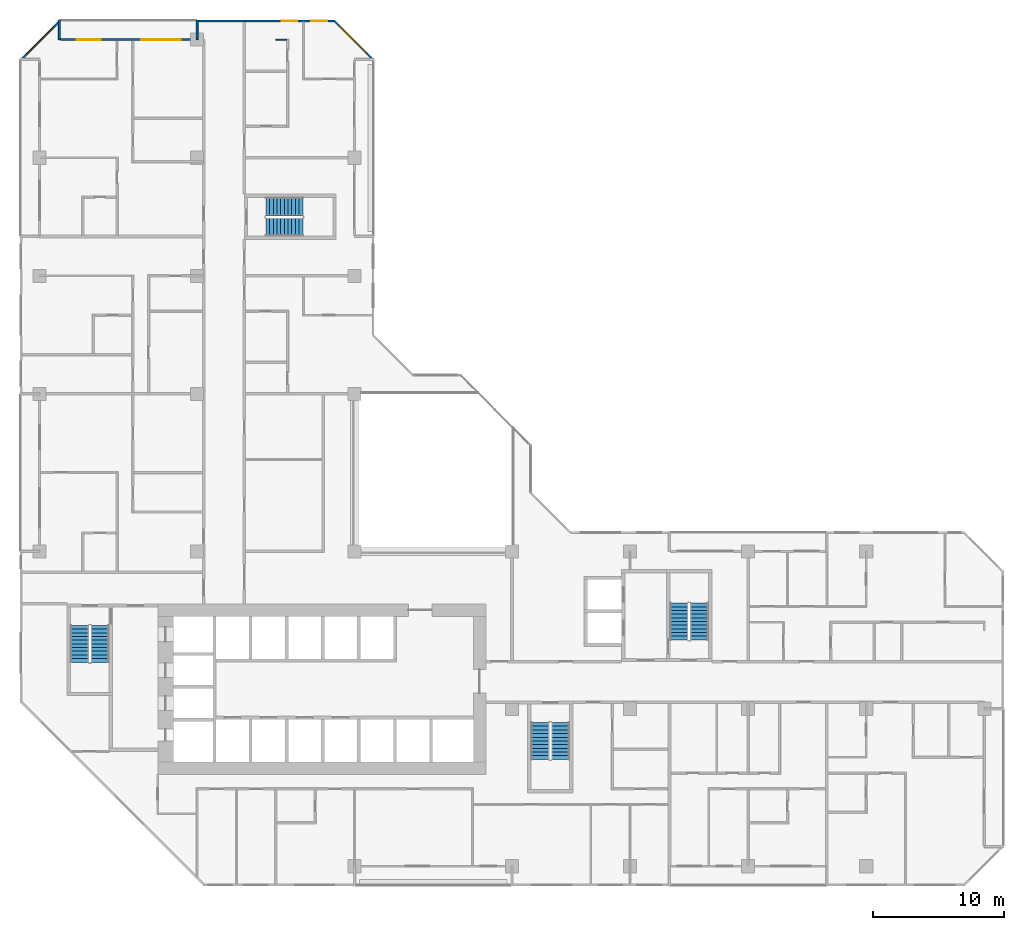
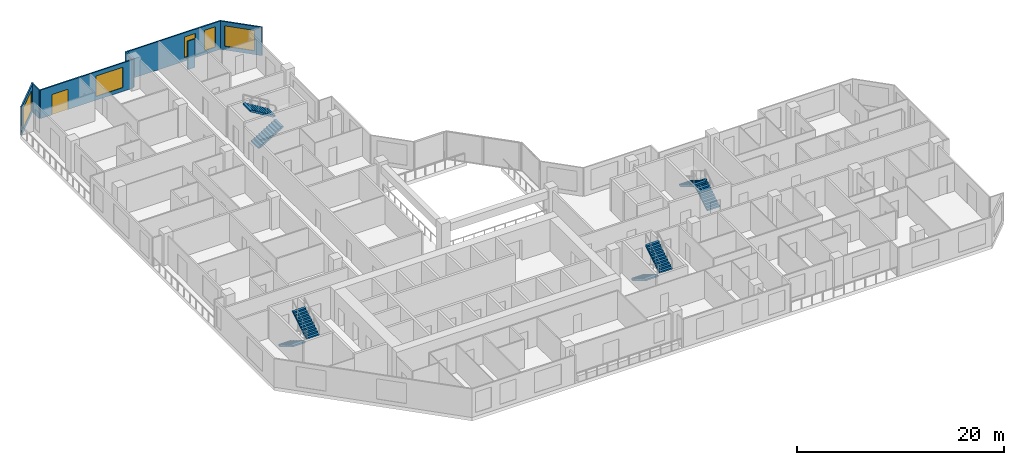
# One storey, part 12 of 14: 8 stair flights, 7 walls, 5 windows, 1 door, 6 openings, 4 elements without a shape of their own.
"""IFC4 building model written with IfcOpenShell, lengths in metres."""

from ifc_helpers import new_model, si_unit, direction, frame, frame_2d, origin, place, context, subcontext, project, spatial, polyline, rectangle, outline, extrude, material, layer, layer_set, type_object, element, fill, aggregate, save


model = new_model("IFC4")

# Units and contexts
model_context = context("Model", 3, precision=1e-05, world=origin(), true_north=direction((0.0, 1.0)))
body_context = subcontext(model_context, "Body", "Model", "MODEL_VIEW")
ifc_project = project(units=[si_unit("LENGTHUNIT", "METRE"), si_unit("AREAUNIT", "SQUARE_METRE"), si_unit("VOLUMEUNIT", "CUBIC_METRE"), si_unit("PLANEANGLEUNIT", "RADIAN"), si_unit("MASSUNIT", "GRAM", prefix="KILO")], contexts=[model_context])

# Site, building, storey
site_placement = place(None, origin())
site = spatial("IfcSite", under=ifc_project, at=site_placement, CompositionType="ELEMENT")
building_placement = place(site_placement, origin())
building = spatial("IfcBuilding", under=site, at=building_placement, Name="Chenar Terraces", CompositionType="ELEMENT")
storey_placement = place(building_placement, frame((0.0, 0.0, 110.64990234375)))
storey = spatial("IfcBuildingStorey", under=building, at=storey_placement, Name="L25", CompositionType="ELEMENT", Elevation=110.64990234375)

# Wall, openings, windows
ifc_material_1 = material(Name="Aluminium framed glazing", Category="aluminium")
ifc_layer_1 = layer(ifc_material_1, 0.14990234375)
ifc_layer_set_1 = layer_set([ifc_layer_1], Name="Aluminium framed glazing")
wall_type_1 = type_object("IfcWallType", Name="Glazed flush facade wall 150", PredefinedType="SOLIDWALL", material=ifc_layer_set_1)
wall_1_placement = place(storey_placement, frame((22.5, 64.425048828125, 0.0), z_axis=(0.0, 0.0, 1.0), x_axis=(-1.0, 0.0, 0.0)))
wall_1 = element("IfcWall", 1, at=wall_1_placement, inside=storey, type_object=wall_type_1, Name="Glazed flush facade wall", PredefinedType="SOLIDWALL", context=body_context, shape_type="SweptSolid", body=[
    extrude(rectangle(XDim=10.425048828125, YDim=0.14990234375, at=frame_2d((5.21240234375, 0.0))), origin(), (0.0, 0.0, 1.0), 3.35009765625),
])
opening_1_placement = place(wall_1_placement, frame((0.60009765625, 0.0, 0.449951171875)))
opening_1 = element("IfcOpeningElement", 2, at=opening_1_placement, cuts=wall_1, Name="Opening W120x240", PredefinedType="OPENING", context=body_context, shape_type="SweptSolid", body=[
    extrude(rectangle(XDim=1.199951171875, YDim=2.39990234375, at=frame_2d((0.60009765625, 1.199951171875))), frame((0.0, 0.0849609375, 0.0), z_axis=(0.0, -1.0, 0.0), x_axis=(1.0, 0.0, 0.0)), (0.0, 0.0, 1.0), 0.169921875),
])
opening_2_placement = place(wall_1_placement, frame((2.85009765625, 0.0, 0.449951171875)))
opening_2 = element("IfcOpeningElement", 3, at=opening_2_placement, cuts=wall_1, Name="Opening W120x240", PredefinedType="OPENING", context=body_context, shape_type="SweptSolid", body=[
    extrude(rectangle(XDim=1.199951171875, YDim=2.39990234375, at=frame_2d((0.60009765625, 1.199951171875))), frame((0.0, 0.0849609375, 0.0), z_axis=(0.0, -1.0, 0.0), x_axis=(1.0, 0.0, 0.0)), (0.0, 0.0, 1.0), 0.169921875),
])
ifc_material_2 = material(Name="Low emissivity double glazing, aluminium frame", Category="aluminium")
window_type_1 = type_object("IfcWindowType", Name="Fixed light 1200 x 2400", PartitioningType="SINGLE_PANEL", PredefinedType="WINDOW", material=ifc_material_2)
window_1_placement = place(opening_1_placement, origin())
window_1 = element("IfcWindow", 4, at=window_1_placement, inside=storey, type_object=window_type_1, Name="Window", OverallHeight=2.39990234375, OverallWidth=1.199951171875, PartitioningType="SINGLE_PANEL", PredefinedType="WINDOW", context=body_context, shape_type="SweptSolid", body=[
    extrude(rectangle(XDim=1.199951171875, YDim=2.39990234375, at=frame_2d((0.60009765625, 1.199951171875))), frame((0.0, 0.030029296875, 0.0), z_axis=(0.0, -1.0, 0.0), x_axis=(1.0, 0.0, 0.0)), (0.0, 0.0, 1.0), 0.06005859375),
])
fill(opening_1, window_1)
window_2_placement = place(opening_2_placement, origin())
window_2 = element("IfcWindow", 5, at=window_2_placement, inside=storey, type_object=window_type_1, Name="Window", OverallHeight=2.39990234375, OverallWidth=1.199951171875, PartitioningType="SINGLE_PANEL", PredefinedType="WINDOW", context=body_context, shape_type="SweptSolid", body=[
    extrude(rectangle(XDim=1.199951171875, YDim=2.39990234375, at=frame_2d((0.60009765625, 1.199951171875))), frame((0.0, 0.030029296875, 0.0), z_axis=(0.0, -1.0, 0.0), x_axis=(1.0, 0.0, 0.0)), (0.0, 0.0, 1.0), 0.06005859375),
])
fill(opening_2, window_2)

# Wall, openings, window, door
ifc_material_3 = material(Name="Aluminium framed glazing", Category="aluminium")
ifc_layer_2 = layer(ifc_material_3, 0.14990234375)
ifc_layer_set_2 = layer_set([ifc_layer_2], Name="Aluminium framed glazing")
wall_type_2 = type_object("IfcWallType", Name="Glazed loggia back wall 150", PredefinedType="SOLIDWALL", material=ifc_layer_set_2)
wall_2_placement = place(storey_placement, frame((11.925048828125, 63.0, 0.0), z_axis=(0.0, 0.0, 1.0), x_axis=(-1.0, 0.0, 0.0)))
wall_2 = element("IfcWall", 6, at=wall_2_placement, inside=storey, type_object=wall_type_2, Name="Glazed loggia back wall", PredefinedType="SOLIDWALL", context=body_context, shape_type="SweptSolid", body=[
    extrude(rectangle(XDim=10.35009765625, YDim=0.14990234375, at=frame_2d((5.175048828125, 0.0))), origin(), (0.0, 0.0, 1.0), 3.35009765625),
])
opening_3_placement = place(wall_2_placement, frame((1.175048828125, 0.0, 0.449951171875)))
opening_3 = element("IfcOpeningElement", 7, at=opening_3_placement, cuts=wall_2, Name="Opening W300x240", PredefinedType="OPENING", context=body_context, shape_type="SweptSolid", body=[
    extrude(rectangle(XDim=3.0, YDim=2.39990234375, at=frame_2d((1.5, 1.199951171875))), frame((0.0, 0.0849609375, 0.0), z_axis=(0.0, -1.0, 0.0), x_axis=(1.0, 0.0, 0.0)), (0.0, 0.0, 1.0), 0.169921875),
])
opening_4_placement = place(wall_2_placement, frame((7.28759765625, 0.0, 0.0)))
opening_4 = element("IfcOpeningElement", 8, at=opening_4_placement, cuts=wall_2, Name="Opening DL25-G3", PredefinedType="OPENING", context=body_context, shape_type="SweptSolid", body=[
    extrude(rectangle(XDim=1.800048828125, YDim=2.39990234375, at=frame_2d((0.89990234375, 1.199951171875))), frame((0.0, 0.0849609375, 0.0), z_axis=(0.0, -1.0, 0.0), x_axis=(1.0, 0.0, 0.0)), (0.0, 0.0, 1.0), 0.169921875),
])
ifc_material_4 = material(Name="Low emissivity double glazing, aluminium frame", Category="aluminium")
window_type_2 = type_object("IfcWindowType", Name="Fixed light 3000 x 2400", PartitioningType="SINGLE_PANEL", PredefinedType="WINDOW", material=ifc_material_4)
window_3_placement = place(opening_3_placement, origin())
window_3 = element("IfcWindow", 9, at=window_3_placement, inside=storey, type_object=window_type_2, Name="Window", OverallHeight=2.39990234375, OverallWidth=3.0, PartitioningType="SINGLE_PANEL", PredefinedType="WINDOW", context=body_context, shape_type="SweptSolid", body=[
    extrude(rectangle(XDim=3.0, YDim=2.39990234375, at=frame_2d((1.5, 1.199951171875))), frame((0.0, 0.030029296875, 0.0), z_axis=(0.0, -1.0, 0.0), x_axis=(1.0, 0.0, 0.0)), (0.0, 0.0, 1.0), 0.06005859375),
])
fill(opening_3, window_3)
ifc_material_5 = material(Name="Low emissivity double glazing, aluminium frame", Category="aluminium")
door_type = type_object("IfcDoorType", Name="Loggia glazed double door 1800 x 2400", OperationType="DOUBLE_DOOR_SINGLE_SWING", PredefinedType="DOOR", material=ifc_material_5)
door_placement = place(opening_4_placement, frame((1.800048828125, 0.0, 0.0), z_axis=(0.0, 0.0, 1.0), x_axis=(-1.0, 0.0, 0.0)))
door = element("IfcDoor", 10, at=door_placement, inside=storey, type_object=door_type, Name="Loggia glazed door", OperationType="DOUBLE_DOOR_SINGLE_SWING", OverallHeight=2.39990234375, OverallWidth=1.800048828125, PredefinedType="DOOR", context=body_context, shape_type="SweptSolid", body=[
    extrude(rectangle(XDim=1.800048828125, YDim=2.39990234375, at=frame_2d((0.89990234375, 1.199951171875))), frame((0.0, 0.02490234375, 0.0), z_axis=(0.0, -1.0, 0.0), x_axis=(1.0, 0.0, 0.0)), (0.0, 0.0, 1.0), 0.050048828125),
])
fill(opening_4, door)

# Walls
ifc_material_6 = material(Name="Gypsum board on steel studs", Category="steel")
ifc_layer_3 = layer(ifc_material_6, 0.10009765625)
ifc_layer_set_3 = layer_set([ifc_layer_3], Name="Gypsum board on steel studs")
wall_type_3 = type_object("IfcWallType", Name="Gypsum partition 100", PredefinedType="PARTITIONING", material=ifc_layer_set_3)
wall_3_placement = place(storey_placement, frame((18.0, 63.0, 0.0), z_axis=(0.0, 0.0, 1.0), x_axis=(1.0, 0.0, 0.0)))
element("IfcWall", 11, at=wall_3_placement, inside=storey, type_object=wall_type_3, Name="Partition L25-048", PredefinedType="PARTITIONING", context=body_context, shape_type="SweptSolid", body=[
    extrude(rectangle(XDim=0.824951171875, YDim=0.10009765625, at=frame_2d((0.41259765625, 0.0))), origin(), (0.0, 0.0, 1.0), 3.35009765625),
])
ifc_material_7 = material(Name="Terracotta cladding on insulated backing", Category="masonry")
ifc_layer_4 = layer(ifc_material_7, 0.14990234375)
ifc_layer_set_4 = layer_set([ifc_layer_4], Name="Terracotta cladding on insulated backing")
wall_type_4 = type_object("IfcWallType", Name="Loggia return wall 150", PredefinedType="SOLIDWALL", material=ifc_layer_set_4)
for number, where, z_axis, x_axis, name in (
    (12, (12.0, 64.5, 0.0), (0.0, 0.0, 1.0), (0.0, -1.0, 0.0), "Loggia return wall"),
    (13, (1.5, 64.5, 0.0), (0.0, 0.0, 1.0), (0.0, -1.0, 0.0), "Loggia return wall"),
):
    element("IfcWall", number, at=place(storey_placement, frame(where, z_axis=z_axis, x_axis=x_axis)), inside=storey, type_object=wall_type_4, Name=name, PredefinedType="SOLIDWALL", context=body_context, shape_type="SweptSolid", body=[
        extrude(rectangle(XDim=1.5, YDim=0.14990234375, at=frame_2d((0.75, 0.0))), origin(), (0.0, 0.0, 1.0), 3.35009765625),
    ])

# Wall, opening, window
ifc_material_8 = material(Name="Terracotta cladding on insulated backing", Category="masonry")
ifc_layer_5 = layer(ifc_material_8, 0.14990234375)
ifc_layer_set_5 = layer_set([ifc_layer_5], Name="Terracotta cladding on insulated backing")
wall_type_5 = type_object("IfcWallType", Name="Terracotta rainscreen wall 150", PredefinedType="SOLIDWALL", material=ifc_layer_set_5)
wall_4_placement = place(storey_placement, frame((25.447021484375, 61.447021484375, 0.0), z_axis=(0.0, 0.0, 1.0), x_axis=(-0.707106781187, 0.707106781187, 0.0)))
wall_4 = element("IfcWall", 14, at=wall_4_placement, inside=storey, type_object=wall_type_5, Name="Terracotta rainscreen wall", PredefinedType="SOLIDWALL", context=body_context, shape_type="SweptSolid", body=[
    extrude(rectangle(XDim=4.24267578125, YDim=0.14990234375, at=frame_2d((2.121337890625, 0.0))), origin(), (0.0, 0.0, 1.0), 3.35009765625),
])
opening_5_placement = place(wall_4_placement, frame((0.744384765625, 0.0, 0.449951171875)))
opening_5 = element("IfcOpeningElement", 15, at=opening_5_placement, cuts=wall_4, Name="Opening W300x240", PredefinedType="OPENING", context=body_context, shape_type="SweptSolid", body=[
    extrude(rectangle(XDim=3.0, YDim=2.39990234375, at=frame_2d((1.5, 1.199951171875))), frame((0.0, 0.0849609375, 0.0), z_axis=(0.0, -1.0, 0.0), x_axis=(1.0, 0.0, 0.0)), (0.0, 0.0, 1.0), 0.169921875),
])
window_4_placement = place(opening_5_placement, origin())
window_4 = element("IfcWindow", 16, at=window_4_placement, inside=storey, type_object=window_type_2, Name="Window", OverallHeight=2.39990234375, OverallWidth=3.0, PartitioningType="SINGLE_PANEL", PredefinedType="WINDOW", context=body_context, shape_type="SweptSolid", body=[
    extrude(rectangle(XDim=3.0, YDim=2.39990234375, at=frame_2d((1.5, 1.199951171875))), frame((0.0, 0.030029296875, 0.0), z_axis=(0.0, -1.0, 0.0), x_axis=(1.0, 0.0, 0.0)), (0.0, 0.0, 1.0), 0.06005859375),
])
fill(opening_5, window_4)

wall_5_placement = place(storey_placement, frame((1.552978515625, 64.447021484375, 0.0), z_axis=(0.0, 0.0, 1.0), x_axis=(-0.707106781187, -0.707106781187, 0.0)))
wall_5 = element("IfcWall", 17, at=wall_5_placement, inside=storey, type_object=wall_type_5, Name="Terracotta rainscreen wall", PredefinedType="SOLIDWALL", context=body_context, shape_type="SweptSolid", body=[
    extrude(rectangle(XDim=4.24267578125, YDim=0.14990234375, at=frame_2d((2.121337890625, 0.0))), origin(), (0.0, 0.0, 1.0), 3.35009765625),
])
opening_6_placement = place(wall_5_placement, frame((0.621337890625, 0.0, 0.449951171875)))
opening_6 = element("IfcOpeningElement", 18, at=opening_6_placement, cuts=wall_5, Name="Opening W300x240", PredefinedType="OPENING", context=body_context, shape_type="SweptSolid", body=[
    extrude(rectangle(XDim=3.0, YDim=2.39990234375, at=frame_2d((1.5, 1.199951171875))), frame((0.0, 0.0849609375, 0.0), z_axis=(0.0, -1.0, 0.0), x_axis=(1.0, 0.0, 0.0)), (0.0, 0.0, 1.0), 0.169921875),
])
window_5_placement = place(opening_6_placement, origin())
window_5 = element("IfcWindow", 19, at=window_5_placement, inside=storey, type_object=window_type_2, Name="Window", OverallHeight=2.39990234375, OverallWidth=3.0, PartitioningType="SINGLE_PANEL", PredefinedType="WINDOW", context=body_context, shape_type="SweptSolid", body=[
    extrude(rectangle(XDim=3.0, YDim=2.39990234375, at=frame_2d((1.5, 1.199951171875))), frame((0.0, 0.030029296875, 0.0), z_axis=(0.0, -1.0, 0.0), x_axis=(1.0, 0.0, 0.0)), (0.0, 0.0, 1.0), 0.06005859375),
])
fill(opening_6, window_5)

# Stair, stair flights
ifc_material_9 = material(Name="Reinforced concrete C40/50", Category="concrete")
stair_type = type_object("IfcStairType", Name="Core stair 1400 half-turn", PredefinedType="HALF_TURN_STAIR", material=ifc_material_9)
placement = place(storey_placement, origin())
stair_1 = element("IfcStair", 20, at=placement, inside=storey, type_object=stair_type, Name="L25 Stair 1", PredefinedType="HALF_TURN_STAIR")
ifc_material_10 = material(Name="Reinforced concrete C40/50", Category="concrete")
stair_flight_type = type_object("IfcStairFlightType", Name="Core stair flight 1400", PredefinedType="STRAIGHT", material=ifc_material_10)
stair_flight_1_placement = place(storey_placement, frame((3.050048828125, 18.35009765625, 0.0), z_axis=(0.0, 0.0, 1.0), x_axis=(0.0, -1.0, 0.0)))
stair_flight_1 = element("IfcStairFlight", 21, at=stair_flight_1_placement, type_object=stair_flight_type, Name="ST1 flight 1", NumberOfRisers=11, NumberOfTreads=10, PredefinedType="STRAIGHT", RiserHeight=0.170454545, TreadLength=0.28, context=body_context, shape_type="SweptSolid", body=[
    extrude(outline(polyline([(-0.0029296875, 0.0), (-0.0029296875, 0.17041015625), (0.0, 0.17041015625), (0.280029296875, 0.17041015625), (0.280029296875, 0.3408203125), (0.56005859375, 0.3408203125), (0.56005859375, 0.511474609375), (0.840087890625, 0.511474609375), (0.840087890625, 0.681884765625), (1.1201171875, 0.681884765625), (1.1201171875, 0.852294921875), (1.39990234375, 0.852294921875), (1.39990234375, 1.022705078125), (1.679931640625, 1.022705078125), (1.679931640625, 1.193115234375), (1.9599609375, 1.193115234375), (1.9599609375, 1.363525390625), (2.239990234375, 1.363525390625), (2.239990234375, 1.5341796875), (2.52001953125, 1.5341796875), (2.52001953125, 1.70458984375), (2.800048828125, 1.70458984375), (2.802978515625, 1.70458984375), (2.802978515625, 1.529052734375), (2.800048828125, 1.529052734375), (0.288330078125, 0.0), (-0.0029296875, 0.0)])), frame((0.0, 0.699951171875, 0.0), z_axis=(0.0, -1.0, 0.0), x_axis=(1.0, 0.0, 0.0)), (0.0, 0.0, 1.0), 1.39990234375),
])
stair_flight_2_placement = place(storey_placement, frame((4.60009765625, 15.550048828125, 1.875), z_axis=(0.0, 0.0, 1.0), x_axis=(0.0, 1.0, 0.0)))
stair_flight_2 = element("IfcStairFlight", 22, at=stair_flight_2_placement, type_object=stair_flight_type, Name="ST1 flight 2", NumberOfRisers=11, NumberOfTreads=10, PredefinedType="STRAIGHT", RiserHeight=0.170454545, TreadLength=0.28, context=body_context, shape_type="SweptSolid", body=[
    extrude(outline(polyline([(-0.0029296875, 0.0), (-0.0029296875, 0.17041015625), (0.0, 0.17041015625), (0.280029296875, 0.17041015625), (0.280029296875, 0.3408203125), (0.56005859375, 0.3408203125), (0.56005859375, 0.511474609375), (0.840087890625, 0.511474609375), (0.840087890625, 0.681884765625), (1.1201171875, 0.681884765625), (1.1201171875, 0.852294921875), (1.39990234375, 0.852294921875), (1.39990234375, 1.022705078125), (1.679931640625, 1.022705078125), (1.679931640625, 1.193115234375), (1.9599609375, 1.193115234375), (1.9599609375, 1.363525390625), (2.239990234375, 1.363525390625), (2.239990234375, 1.5341796875), (2.52001953125, 1.5341796875), (2.52001953125, 1.70458984375), (2.800048828125, 1.70458984375), (2.802978515625, 1.70458984375), (2.802978515625, 1.529052734375), (2.800048828125, 1.529052734375), (0.288330078125, 0.0), (-0.0029296875, 0.0)])), frame((0.0, 0.699951171875, 0.0), z_axis=(0.0, -1.0, 0.0), x_axis=(1.0, 0.0, 0.0)), (0.0, 0.0, 1.0), 1.39990234375),
])
aggregate(stair_1, [stair_flight_1, stair_flight_2])

stair_2 = element("IfcStair", 23, at=placement, inside=storey, type_object=stair_type, Name="L25 Stair 2", PredefinedType="HALF_TURN_STAIR")
stair_flight_3_placement = place(storey_placement, frame((38.14990234375, 10.949951171875, 0.0), z_axis=(0.0, 0.0, 1.0), x_axis=(0.0, -1.0, 0.0)))
stair_flight_3 = element("IfcStairFlight", 24, at=stair_flight_3_placement, type_object=stair_flight_type, Name="ST2 flight 1", NumberOfRisers=11, NumberOfTreads=10, PredefinedType="STRAIGHT", RiserHeight=0.170454545, TreadLength=0.28, context=body_context, shape_type="SweptSolid", body=[
    extrude(outline(polyline([(-0.0029296875, 0.0), (-0.0029296875, 0.17041015625), (0.0, 0.17041015625), (0.280029296875, 0.17041015625), (0.280029296875, 0.3408203125), (0.56005859375, 0.3408203125), (0.56005859375, 0.511474609375), (0.840087890625, 0.511474609375), (0.840087890625, 0.681884765625), (1.1201171875, 0.681884765625), (1.1201171875, 0.852294921875), (1.39990234375, 0.852294921875), (1.39990234375, 1.022705078125), (1.679931640625, 1.022705078125), (1.679931640625, 1.193115234375), (1.9599609375, 1.193115234375), (1.9599609375, 1.363525390625), (2.239990234375, 1.363525390625), (2.239990234375, 1.5341796875), (2.52001953125, 1.5341796875), (2.52001953125, 1.70458984375), (2.800048828125, 1.70458984375), (2.802978515625, 1.70458984375), (2.802978515625, 1.529052734375), (2.800048828125, 1.529052734375), (0.288330078125, 0.0), (-0.0029296875, 0.0)])), frame((0.0, 0.699951171875, 0.0), z_axis=(0.0, -1.0, 0.0), x_axis=(1.0, 0.0, 0.0)), (0.0, 0.0, 1.0), 1.39990234375),
])
stair_flight_4_placement = place(storey_placement, frame((39.699951171875, 8.14990234375, 1.875), z_axis=(0.0, 0.0, 1.0), x_axis=(0.0, 1.0, 0.0)))
stair_flight_4 = element("IfcStairFlight", 25, at=stair_flight_4_placement, type_object=stair_flight_type, Name="ST2 flight 2", NumberOfRisers=11, NumberOfTreads=10, PredefinedType="STRAIGHT", RiserHeight=0.170454545, TreadLength=0.28, context=body_context, shape_type="SweptSolid", body=[
    extrude(outline(polyline([(-0.0029296875, 0.0), (-0.0029296875, 0.17041015625), (0.0, 0.17041015625), (0.280029296875, 0.17041015625), (0.280029296875, 0.3408203125), (0.56005859375, 0.3408203125), (0.56005859375, 0.511474609375), (0.840087890625, 0.511474609375), (0.840087890625, 0.681884765625), (1.1201171875, 0.681884765625), (1.1201171875, 0.852294921875), (1.39990234375, 0.852294921875), (1.39990234375, 1.022705078125), (1.679931640625, 1.022705078125), (1.679931640625, 1.193115234375), (1.9599609375, 1.193115234375), (1.9599609375, 1.363525390625), (2.239990234375, 1.363525390625), (2.239990234375, 1.5341796875), (2.52001953125, 1.5341796875), (2.52001953125, 1.70458984375), (2.800048828125, 1.70458984375), (2.802978515625, 1.70458984375), (2.802978515625, 1.529052734375), (2.800048828125, 1.529052734375), (0.288330078125, 0.0), (-0.0029296875, 0.0)])), frame((0.0, 0.699951171875, 0.0), z_axis=(0.0, -1.0, 0.0), x_axis=(1.0, 0.0, 0.0)), (0.0, 0.0, 1.0), 1.39990234375),
])
aggregate(stair_2, [stair_flight_3, stair_flight_4])

stair_3 = element("IfcStair", 26, at=placement, inside=storey, type_object=stair_type, Name="L25 Stair 3", PredefinedType="HALF_TURN_STAIR")
stair_flight_5_placement = place(storey_placement, frame((50.27490234375, 17.25, 0.0), z_axis=(0.0, 0.0, 1.0), x_axis=(0.0, 1.0, 0.0)))
stair_flight_5 = element("IfcStairFlight", 27, at=stair_flight_5_placement, type_object=stair_flight_type, Name="ST3 flight 1", NumberOfRisers=11, NumberOfTreads=10, PredefinedType="STRAIGHT", RiserHeight=0.170454545, TreadLength=0.28, context=body_context, shape_type="SweptSolid", body=[
    extrude(outline(polyline([(-0.0029296875, 0.0), (-0.0029296875, 0.17041015625), (0.0, 0.17041015625), (0.280029296875, 0.17041015625), (0.280029296875, 0.3408203125), (0.56005859375, 0.3408203125), (0.56005859375, 0.511474609375), (0.840087890625, 0.511474609375), (0.840087890625, 0.681884765625), (1.1201171875, 0.681884765625), (1.1201171875, 0.852294921875), (1.39990234375, 0.852294921875), (1.39990234375, 1.022705078125), (1.679931640625, 1.022705078125), (1.679931640625, 1.193115234375), (1.9599609375, 1.193115234375), (1.9599609375, 1.363525390625), (2.239990234375, 1.363525390625), (2.239990234375, 1.5341796875), (2.52001953125, 1.5341796875), (2.52001953125, 1.70458984375), (2.800048828125, 1.70458984375), (2.802978515625, 1.70458984375), (2.802978515625, 1.529052734375), (2.800048828125, 1.529052734375), (0.288330078125, 0.0), (-0.0029296875, 0.0)])), frame((0.0, 0.699951171875, 0.0), z_axis=(0.0, -1.0, 0.0), x_axis=(1.0, 0.0, 0.0)), (0.0, 0.0, 1.0), 1.39990234375),
])
stair_flight_6_placement = place(storey_placement, frame((48.72509765625, 20.050048828125, 1.875), z_axis=(0.0, 0.0, 1.0), x_axis=(0.0, -1.0, 0.0)))
stair_flight_6 = element("IfcStairFlight", 28, at=stair_flight_6_placement, type_object=stair_flight_type, Name="ST3 flight 2", NumberOfRisers=11, NumberOfTreads=10, PredefinedType="STRAIGHT", RiserHeight=0.170454545, TreadLength=0.28, context=body_context, shape_type="SweptSolid", body=[
    extrude(outline(polyline([(-0.0029296875, 0.0), (-0.0029296875, 0.17041015625), (0.0, 0.17041015625), (0.280029296875, 0.17041015625), (0.280029296875, 0.3408203125), (0.56005859375, 0.3408203125), (0.56005859375, 0.511474609375), (0.840087890625, 0.511474609375), (0.840087890625, 0.681884765625), (1.1201171875, 0.681884765625), (1.1201171875, 0.852294921875), (1.39990234375, 0.852294921875), (1.39990234375, 1.022705078125), (1.679931640625, 1.022705078125), (1.679931640625, 1.193115234375), (1.9599609375, 1.193115234375), (1.9599609375, 1.363525390625), (2.239990234375, 1.363525390625), (2.239990234375, 1.5341796875), (2.52001953125, 1.5341796875), (2.52001953125, 1.70458984375), (2.800048828125, 1.70458984375), (2.802978515625, 1.70458984375), (2.802978515625, 1.529052734375), (2.800048828125, 1.529052734375), (0.288330078125, 0.0), (-0.0029296875, 0.0)])), frame((0.0, 0.699951171875, 0.0), z_axis=(0.0, -1.0, 0.0), x_axis=(1.0, 0.0, 0.0)), (0.0, 0.0, 1.0), 1.39990234375),
])
aggregate(stair_3, [stair_flight_5, stair_flight_6])

stair_4 = element("IfcStair", 29, at=placement, inside=storey, type_object=stair_type, Name="L25 Stair 4", PredefinedType="HALF_TURN_STAIR")
stair_flight_7_placement = place(storey_placement, frame((17.25, 48.72509765625, 0.0), z_axis=(0.0, 0.0, 1.0), x_axis=(1.0, 0.0, 0.0)))
stair_flight_7 = element("IfcStairFlight", 30, at=stair_flight_7_placement, type_object=stair_flight_type, Name="ST4 flight 1", NumberOfRisers=11, NumberOfTreads=10, PredefinedType="STRAIGHT", RiserHeight=0.170454545, TreadLength=0.28, context=body_context, shape_type="SweptSolid", body=[
    extrude(outline(polyline([(-0.0029296875, 0.0), (-0.0029296875, 0.17041015625), (0.0, 0.17041015625), (0.280029296875, 0.17041015625), (0.280029296875, 0.3408203125), (0.56005859375, 0.3408203125), (0.56005859375, 0.511474609375), (0.840087890625, 0.511474609375), (0.840087890625, 0.681884765625), (1.1201171875, 0.681884765625), (1.1201171875, 0.852294921875), (1.39990234375, 0.852294921875), (1.39990234375, 1.022705078125), (1.679931640625, 1.022705078125), (1.679931640625, 1.193115234375), (1.9599609375, 1.193115234375), (1.9599609375, 1.363525390625), (2.239990234375, 1.363525390625), (2.239990234375, 1.5341796875), (2.52001953125, 1.5341796875), (2.52001953125, 1.70458984375), (2.800048828125, 1.70458984375), (2.802978515625, 1.70458984375), (2.802978515625, 1.529052734375), (2.800048828125, 1.529052734375), (0.288330078125, 0.0), (-0.0029296875, 0.0)])), frame((0.0, 0.699951171875, 0.0), z_axis=(0.0, -1.0, 0.0), x_axis=(1.0, 0.0, 0.0)), (0.0, 0.0, 1.0), 1.39990234375),
])
stair_flight_8_placement = place(storey_placement, frame((20.050048828125, 50.27490234375, 1.875), z_axis=(0.0, 0.0, 1.0), x_axis=(-1.0, 0.0, 0.0)))
stair_flight_8 = element("IfcStairFlight", 31, at=stair_flight_8_placement, type_object=stair_flight_type, Name="ST4 flight 2", NumberOfRisers=11, NumberOfTreads=10, PredefinedType="STRAIGHT", RiserHeight=0.170454545, TreadLength=0.28, context=body_context, shape_type="SweptSolid", body=[
    extrude(outline(polyline([(-0.0029296875, 0.0), (-0.0029296875, 0.17041015625), (0.0, 0.17041015625), (0.280029296875, 0.17041015625), (0.280029296875, 0.3408203125), (0.56005859375, 0.3408203125), (0.56005859375, 0.511474609375), (0.840087890625, 0.511474609375), (0.840087890625, 0.681884765625), (1.1201171875, 0.681884765625), (1.1201171875, 0.852294921875), (1.39990234375, 0.852294921875), (1.39990234375, 1.022705078125), (1.679931640625, 1.022705078125), (1.679931640625, 1.193115234375), (1.9599609375, 1.193115234375), (1.9599609375, 1.363525390625), (2.239990234375, 1.363525390625), (2.239990234375, 1.5341796875), (2.52001953125, 1.5341796875), (2.52001953125, 1.70458984375), (2.800048828125, 1.70458984375), (2.802978515625, 1.70458984375), (2.802978515625, 1.529052734375), (2.800048828125, 1.529052734375), (0.288330078125, 0.0), (-0.0029296875, 0.0)])), frame((0.0, 0.699951171875, 0.0), z_axis=(0.0, -1.0, 0.0), x_axis=(1.0, 0.0, 0.0)), (0.0, 0.0, 1.0), 1.39990234375),
])
aggregate(stair_4, [stair_flight_7, stair_flight_8])

save(model, "model.ifc")
